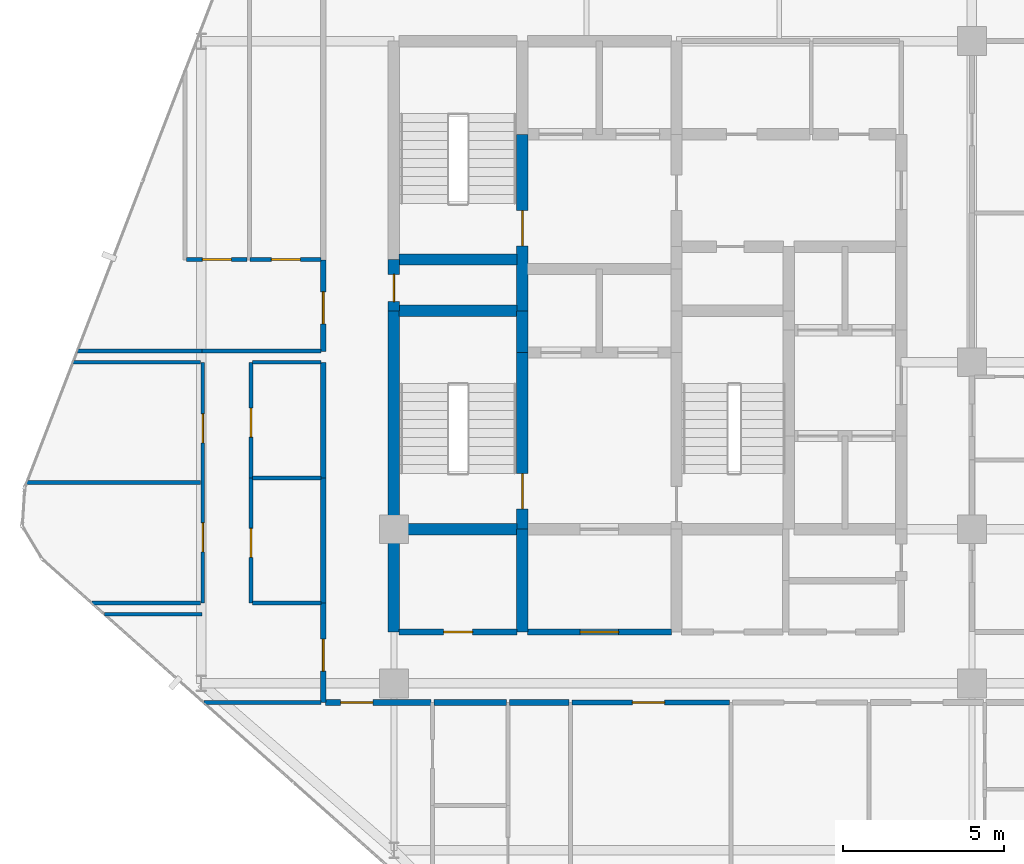
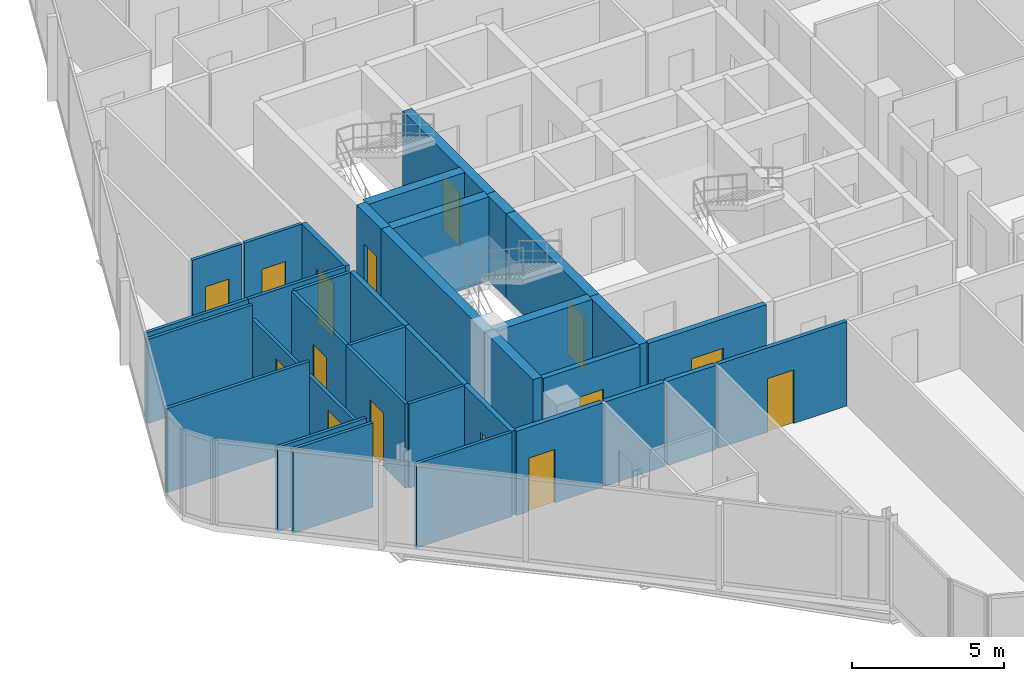
# One storey, part 25 of 31: 35 walls, 15 doors, 15 openings.
"""IFC4 building model written with IfcOpenShell, lengths in metres."""

from ifc_helpers import new_model, si_unit, direction, frame, frame_2d, origin, place, context, subcontext, project, spatial, rectangle, extrude, material, layer, layer_set, type_object, element, fill, save


model = new_model("IFC4")

# Units and contexts
model_context = context("Model", 3, precision=1e-05, world=origin(), true_north=direction((0.0, 1.0)))
body_context = subcontext(model_context, "Body", "Model", "MODEL_VIEW")
ifc_project = project(units=[si_unit("LENGTHUNIT", "METRE"), si_unit("AREAUNIT", "SQUARE_METRE"), si_unit("VOLUMEUNIT", "CUBIC_METRE"), si_unit("PLANEANGLEUNIT", "RADIAN"), si_unit("MASSUNIT", "GRAM", prefix="KILO")], contexts=[model_context])

# Site, building, storey
site_placement = place(None, origin())
site = spatial("IfcSite", under=ifc_project, at=site_placement, CompositionType="ELEMENT")
building_placement = place(site_placement, origin())
building = spatial("IfcBuilding", under=site, at=building_placement, Name="Keshet Zoharim Tower", CompositionType="ELEMENT")
storey_placement = place(building_placement, frame((0.0, 0.0, 148.300048828125)))
storey = spatial("IfcBuildingStorey", under=building, at=storey_placement, Name="L36", CompositionType="ELEMENT", Elevation=148.300048828125)

# Wall, opening, door
ifc_material_1 = material(Name="Gypsum Plasterboard", Category="gypsum")
ifc_layer_1 = layer(ifc_material_1, 0.14990234375)
ifc_layer_set_1 = layer_set([ifc_layer_1], Name="Gypsum Plasterboard")
wall_type_1 = type_object("IfcWallType", Name="WL-CLIN-150", PredefinedType="STANDARD", material=ifc_layer_set_1)
wall_1_placement = place(storey_placement, frame((20.544921875, 17.300048828125, 0.0), z_axis=(0.0, 0.0, 1.0), x_axis=(1.0, 0.0, 0.0)))
wall_1 = element("IfcWall", 1, at=wall_1_placement, inside=storey, type_object=wall_type_1, Name="L36 Interior Wall 123", PredefinedType="STANDARD", context=body_context, shape_type="SweptSolid", body=[
    extrude(rectangle(XDim=4.91015625, YDim=0.14990234375, at=frame_2d((2.455078125, 0.0))), origin(), (0.0, 0.0, 1.0), 3.385009765625),
])
opening_1_placement = place(wall_1_placement, frame((1.884033203125, 0.0, 0.0)))
opening_1 = element("IfcOpeningElement", 2, at=opening_1_placement, cuts=wall_1, Name="Opening D-F310", PredefinedType="OPENING", context=body_context, shape_type="SweptSolid", body=[
    extrude(rectangle(XDim=1.0, YDim=2.14990234375, at=frame_2d((0.5, 1.074951171875))), frame((0.0, 0.0849609375, 0.0), z_axis=(0.0, -1.0, 0.0), x_axis=(1.0, 0.0, 0.0)), (0.0, 0.0, 1.0), 0.169921875),
])
ifc_material_2 = material(Name="Hardwood Timber", Category="wood")
door_type_1 = type_object("IfcDoorType", Name="DR-FD30-100", OperationType="NOTDEFINED", PredefinedType="DOOR", material=ifc_material_2)
door_1_placement = place(opening_1_placement, origin())
door_1 = element("IfcDoor", 3, at=door_1_placement, inside=storey, type_object=door_type_1, Name="L36 Residents Fitness Studio Door", OperationType="SINGLE_SWING_RIGHT", OverallHeight=2.14990234375, OverallWidth=1.0, PredefinedType="DOOR", context=body_context, shape_type="SweptSolid", body=[
    extrude(rectangle(XDim=1.0, YDim=2.14990234375, at=frame_2d((0.5, 1.074951171875))), frame((0.0, 0.02490234375, 0.0), z_axis=(0.0, -1.0, 0.0), x_axis=(1.0, 0.0, 0.0)), (0.0, 0.0, 1.0), 0.050048828125),
])
fill(opening_1, door_1)

# Walls
ifc_material_3 = material(Name="Concrete C60/75", Category="concrete")
ifc_layer_2 = layer(ifc_material_3, 0.35009765625)
ifc_layer_set_2 = layer_set([ifc_layer_2], Name="Concrete C60/75")
wall_type_2 = type_object("IfcWallType", Name="WL-CORE-350", PredefinedType="SHEAR", material=ifc_layer_set_2)
wall_2_placement = place(storey_placement, frame((15.0, 19.5, 0.0), z_axis=(0.0, 0.0, 1.0), x_axis=(0.0, 1.0, 0.0)))
element("IfcWall", 4, at=wall_2_placement, inside=storey, type_object=wall_type_2, Name="L36 Core Shear Wall 014", PredefinedType="SHEAR", context=body_context, shape_type="SweptSolid", body=[
    extrude(rectangle(XDim=3.199951171875, YDim=0.35009765625, at=frame_2d((1.60009765625, 0.0))), origin(), (0.0, 0.0, 1.0), 3.385009765625),
])
wall_3_placement = place(storey_placement, frame((15.0, 22.699951171875, 0.0), z_axis=(0.0, 0.0, 1.0), x_axis=(0.0, 1.0, 0.0)))
element("IfcWall", 5, at=wall_3_placement, inside=storey, type_object=wall_type_2, Name="L36 Core Shear Wall 015", PredefinedType="SHEAR", context=body_context, shape_type="SweptSolid", body=[
    extrude(rectangle(XDim=6.800048828125, YDim=0.35009765625, at=frame_2d((3.39990234375, 0.0))), origin(), (0.0, 0.0, 1.0), 3.385009765625),
])

# Wall, opening, door
wall_4_placement = place(storey_placement, frame((15.0, 29.5, 0.0), z_axis=(0.0, 0.0, 1.0), x_axis=(0.0, 1.0, 0.0)))
wall_4 = element("IfcWall", 6, at=wall_4_placement, inside=storey, type_object=wall_type_2, Name="L36 Core Shear Wall 016", PredefinedType="SHEAR", context=body_context, shape_type="SweptSolid", body=[
    extrude(rectangle(XDim=1.60009765625, YDim=0.35009765625, at=frame_2d((0.800048828125, 0.0))), origin(), (0.0, 0.0, 1.0), 3.385009765625),
])
opening_2_placement = place(wall_4_placement, frame((0.287109375, 0.0, 0.0)))
opening_2 = element("IfcOpeningElement", 7, at=opening_2_placement, cuts=wall_4, Name="Opening D-RS85", PredefinedType="OPENING", context=body_context, shape_type="SweptSolid", body=[
    extrude(rectangle(XDim=0.85009765625, YDim=2.10009765625, at=frame_2d((0.425048828125, 1.050048828125))), frame((0.0, 0.18505859375, 0.0), z_axis=(0.0, -1.0, 0.0), x_axis=(1.0, 0.0, 0.0)), (0.0, 0.0, 1.0), 0.3701171875),
])
door_type_2 = type_object("IfcDoorType", Name="DR-RIS-085", OperationType="NOTDEFINED", PredefinedType="DOOR", material=ifc_material_2)
door_2_placement = place(opening_2_placement, origin())
door_2 = element("IfcDoor", 8, at=door_2_placement, inside=storey, type_object=door_type_2, Name="L36 Electrical Riser Access Cupboard Door", OperationType="SINGLE_SWING_RIGHT", OverallHeight=2.10009765625, OverallWidth=0.85009765625, PredefinedType="DOOR", context=body_context, shape_type="SweptSolid", body=[
    extrude(rectangle(XDim=0.85009765625, YDim=2.10009765625, at=frame_2d((0.425048828125, 1.050048828125))), frame((0.0, 0.02490234375, 0.0), z_axis=(0.0, -1.0, 0.0), x_axis=(1.0, 0.0, 0.0)), (0.0, 0.0, 1.0), 0.050048828125),
])
fill(opening_2, door_2)

# Wall
wall_5_placement = place(storey_placement, frame((19.0, 19.5, 0.0), z_axis=(0.0, 0.0, 1.0), x_axis=(0.0, 1.0, 0.0)))
element("IfcWall", 9, at=wall_5_placement, inside=storey, type_object=wall_type_2, Name="L36 Core Shear Wall 024", PredefinedType="SHEAR", context=body_context, shape_type="SweptSolid", body=[
    extrude(rectangle(XDim=3.199951171875, YDim=0.35009765625, at=frame_2d((1.60009765625, 0.0))), origin(), (0.0, 0.0, 1.0), 3.385009765625),
])

# Wall, opening, door
wall_6_placement = place(storey_placement, frame((19.0, 22.699951171875, 0.0), z_axis=(0.0, 0.0, 1.0), x_axis=(0.0, 1.0, 0.0)))
wall_6 = element("IfcWall", 10, at=wall_6_placement, inside=storey, type_object=wall_type_2, Name="L36 Core Shear Wall 025", PredefinedType="SHEAR", context=body_context, shape_type="SweptSolid", body=[
    extrude(rectangle(XDim=5.5, YDim=0.35009765625, at=frame_2d((2.75, 0.0))), origin(), (0.0, 0.0, 1.0), 3.385009765625),
])
opening_3_placement = place(wall_6_placement, frame((0.631103515625, 0.0, 0.0)))
opening_3 = element("IfcOpeningElement", 11, at=opening_3_placement, cuts=wall_6, Name="Opening D-F611", PredefinedType="OPENING", context=body_context, shape_type="SweptSolid", body=[
    extrude(rectangle(XDim=1.10009765625, YDim=2.14990234375, at=frame_2d((0.550048828125, 1.074951171875))), frame((0.0, 0.18505859375, 0.0), z_axis=(0.0, -1.0, 0.0), x_axis=(1.0, 0.0, 0.0)), (0.0, 0.0, 1.0), 0.3701171875),
])
door_type_3 = type_object("IfcDoorType", Name="DR-FD60-110", OperationType="NOTDEFINED", PredefinedType="DOOR", material=ifc_material_2)
door_3_placement = place(opening_3_placement, origin())
door_3 = element("IfcDoor", 12, at=door_3_placement, inside=storey, type_object=door_type_3, Name="L36 Exit Stair ST-01 Fire Door", OperationType="SINGLE_SWING_LEFT", OverallHeight=2.14990234375, OverallWidth=1.10009765625, PredefinedType="DOOR", context=body_context, shape_type="SweptSolid", body=[
    extrude(rectangle(XDim=1.10009765625, YDim=2.14990234375, at=frame_2d((0.550048828125, 1.074951171875))), frame((0.0, 0.02490234375, 0.0), z_axis=(0.0, -1.0, 0.0), x_axis=(1.0, 0.0, 0.0)), (0.0, 0.0, 1.0), 0.050048828125),
])
fill(opening_3, door_3)

# Wall
wall_7_placement = place(storey_placement, frame((19.0, 28.199951171875, 0.0), z_axis=(0.0, 0.0, 1.0), x_axis=(0.0, 1.0, 0.0)))
element("IfcWall", 13, at=wall_7_placement, inside=storey, type_object=wall_type_2, Name="L36 Core Shear Wall 026", PredefinedType="SHEAR", context=body_context, shape_type="SweptSolid", body=[
    extrude(rectangle(XDim=1.300048828125, YDim=0.35009765625, at=frame_2d((0.64990234375, 0.0))), origin(), (0.0, 0.0, 1.0), 3.385009765625),
])

# Wall, opening, door
wall_8_placement = place(storey_placement, frame((19.0, 29.5, 0.0), z_axis=(0.0, 0.0, 1.0), x_axis=(0.0, 1.0, 0.0)))
wall_8 = element("IfcWall", 14, at=wall_8_placement, inside=storey, type_object=wall_type_2, Name="L36 Core Shear Wall 027", PredefinedType="SHEAR", context=body_context, shape_type="SweptSolid", body=[
    extrude(rectangle(XDim=5.5, YDim=0.35009765625, at=frame_2d((2.75, 0.0))), origin(), (0.0, 0.0, 1.0), 3.385009765625),
])
opening_4_placement = place(wall_8_placement, frame((2.02490234375, 0.0, 0.0)))
opening_4 = element("IfcOpeningElement", 15, at=opening_4_placement, cuts=wall_8, Name="Opening D-F611", PredefinedType="OPENING", context=body_context, shape_type="SweptSolid", body=[
    extrude(rectangle(XDim=1.10009765625, YDim=2.14990234375, at=frame_2d((0.550048828125, 1.074951171875))), frame((0.0, 0.18505859375, 0.0), z_axis=(0.0, -1.0, 0.0), x_axis=(1.0, 0.0, 0.0)), (0.0, 0.0, 1.0), 0.3701171875),
])
door_4_placement = place(opening_4_placement, origin())
door_4 = element("IfcDoor", 16, at=door_4_placement, inside=storey, type_object=door_type_3, Name="L36 Exit Stair ST-02 Fire Door", OperationType="SINGLE_SWING_RIGHT", OverallHeight=2.14990234375, OverallWidth=1.10009765625, PredefinedType="DOOR", context=body_context, shape_type="SweptSolid", body=[
    extrude(rectangle(XDim=1.10009765625, YDim=2.14990234375, at=frame_2d((0.550048828125, 1.074951171875))), frame((0.0, 0.02490234375, 0.0), z_axis=(0.0, -1.0, 0.0), x_axis=(1.0, 0.0, 0.0)), (0.0, 0.0, 1.0), 0.050048828125),
])
fill(opening_4, door_4)

# Walls
for number, where, z_axis, x_axis, name in (
    (17, (15.159912109375, 22.699951171875, 0.0), (0.0, 0.0, 1.0), (1.0, 0.0, 0.0), "L36 Core Shear Wall 141"),
    (18, (15.159912109375, 29.5, 0.0), (0.0, 0.0, 1.0), (1.0, 0.0, 0.0), "L36 Core Shear Wall 158"),
    (19, (15.159912109375, 31.10009765625, 0.0), (0.0, 0.0, 1.0), (1.0, 0.0, 0.0), "L36 Core Shear Wall 163"),
):
    element("IfcWall", number, at=place(storey_placement, frame(where, z_axis=z_axis, x_axis=x_axis)), inside=storey, type_object=wall_type_2, Name=name, PredefinedType="SHEAR", context=body_context, shape_type="SweptSolid", body=[
        extrude(rectangle(XDim=3.68017578125, YDim=0.35009765625, at=frame_2d((1.840087890625, 0.0))), origin(), (0.0, 0.0, 1.0), 3.385009765625),
    ])

# Wall, opening, door
ifc_layer_3 = layer(ifc_material_1, 0.179931640625)
ifc_layer_set_3 = layer_set([ifc_layer_3], Name="Gypsum Plasterboard")
wall_type_3 = type_object("IfcWallType", Name="WL-CORR-180", PredefinedType="STANDARD", material=ifc_layer_set_3)
wall_9_placement = place(storey_placement, frame((12.800048828125, 17.300048828125, 0.0), z_axis=(0.0, 0.0, 1.0), x_axis=(0.0, 1.0, 0.0)))
wall_9 = element("IfcWall", 20, at=wall_9_placement, inside=storey, type_object=wall_type_3, Name="L36 Interior Wall 006", PredefinedType="STANDARD", context=body_context, shape_type="SweptSolid", body=[
    extrude(rectangle(XDim=3.099853515625, YDim=0.179931640625, at=frame_2d((1.5498046875, 0.0))), origin(), (0.0, 0.0, 1.0), 3.385009765625),
])
opening_5_placement = place(wall_9_placement, frame((0.97802734375, 0.0, 0.0)))
opening_5 = element("IfcOpeningElement", 21, at=opening_5_placement, cuts=wall_9, Name="Opening D-F310", PredefinedType="OPENING", context=body_context, shape_type="SweptSolid", body=[
    extrude(rectangle(XDim=1.0, YDim=2.14990234375, at=frame_2d((0.5, 1.074951171875))), frame((0.0, 0.10009765625, 0.0), z_axis=(0.0, -1.0, 0.0), x_axis=(1.0, 0.0, 0.0)), (0.0, 0.0, 1.0), 0.199951171875),
])
door_5_placement = place(opening_5_placement, origin())
door_5 = element("IfcDoor", 22, at=door_5_placement, inside=storey, type_object=door_type_1, Name="Apartment 3607 Entrance Door", OperationType="SINGLE_SWING_RIGHT", OverallHeight=2.14990234375, OverallWidth=1.0, PredefinedType="DOOR", context=body_context, shape_type="SweptSolid", body=[
    extrude(rectangle(XDim=1.0, YDim=2.14990234375, at=frame_2d((0.5, 1.074951171875))), frame((0.0, 0.02490234375, 0.0), z_axis=(0.0, -1.0, 0.0), x_axis=(1.0, 0.0, 0.0)), (0.0, 0.0, 1.0), 0.050048828125),
])
fill(opening_5, door_5)

# Walls
wall_10_placement = place(storey_placement, frame((12.800048828125, 20.39990234375, 0.0), z_axis=(0.0, 0.0, 1.0), x_axis=(0.0, 1.0, 0.0)))
element("IfcWall", 23, at=wall_10_placement, inside=storey, type_object=wall_type_3, Name="L36 Interior Wall 007", PredefinedType="STANDARD", context=body_context, shape_type="SweptSolid", body=[
    extrude(rectangle(XDim=3.89501953125, YDim=0.179931640625, at=frame_2d((1.947509765625, 0.0))), origin(), (0.0, 0.0, 1.0), 3.385009765625),
])
wall_11_placement = place(storey_placement, frame((12.800048828125, 24.294921875, 0.0), z_axis=(0.0, 0.0, 1.0), x_axis=(0.0, 1.0, 0.0)))
element("IfcWall", 24, at=wall_11_placement, inside=storey, type_object=wall_type_3, Name="L36 Interior Wall 008", PredefinedType="STANDARD", context=body_context, shape_type="SweptSolid", body=[
    extrude(rectangle(XDim=3.594970703125, YDim=0.179931640625, at=frame_2d((1.79736328125, 0.0))), origin(), (0.0, 0.0, 1.0), 3.385009765625),
])

# Wall, opening, door
wall_12_placement = place(storey_placement, frame((12.800048828125, 28.239990234375, 0.0), z_axis=(0.0, 0.0, 1.0), x_axis=(0.0, 1.0, 0.0)))
wall_12 = element("IfcWall", 25, at=wall_12_placement, inside=storey, type_object=wall_type_3, Name="L36 Interior Wall 009", PredefinedType="STANDARD", context=body_context, shape_type="SweptSolid", body=[
    extrude(rectangle(XDim=2.85009765625, YDim=0.179931640625, at=frame_2d((1.425048828125, 0.0))), origin(), (0.0, 0.0, 1.0), 3.385009765625),
])
opening_6_placement = place(wall_12_placement, frame((0.85107421875, 0.0, 0.0)))
opening_6 = element("IfcOpeningElement", 26, at=opening_6_placement, cuts=wall_12, Name="Opening D-F310", PredefinedType="OPENING", context=body_context, shape_type="SweptSolid", body=[
    extrude(rectangle(XDim=1.0, YDim=2.14990234375, at=frame_2d((0.5, 1.074951171875))), frame((0.0, 0.10009765625, 0.0), z_axis=(0.0, -1.0, 0.0), x_axis=(1.0, 0.0, 0.0)), (0.0, 0.0, 1.0), 0.199951171875),
])
door_6_placement = place(opening_6_placement, origin())
door_6 = element("IfcDoor", 27, at=door_6_placement, inside=storey, type_object=door_type_1, Name="Apartment 3608 Entrance Door", OperationType="SINGLE_SWING_LEFT", OverallHeight=2.14990234375, OverallWidth=1.0, PredefinedType="DOOR", context=body_context, shape_type="SweptSolid", body=[
    extrude(rectangle(XDim=1.0, YDim=2.14990234375, at=frame_2d((0.5, 1.074951171875))), frame((0.0, 0.02490234375, 0.0), z_axis=(0.0, -1.0, 0.0), x_axis=(1.0, 0.0, 0.0)), (0.0, 0.0, 1.0), 0.050048828125),
])
fill(opening_6, door_6)

wall_13_placement = place(storey_placement, frame((12.875, 17.300048828125, 0.0), z_axis=(0.0, 0.0, 1.0), x_axis=(1.0, 0.0, 0.0)))
wall_13 = element("IfcWall", 28, at=wall_13_placement, inside=storey, type_object=wall_type_3, Name="L36 Interior Wall 120", PredefinedType="STANDARD", context=body_context, shape_type="SweptSolid", body=[
    extrude(rectangle(XDim=3.280029296875, YDim=0.179931640625, at=frame_2d((1.64013671875, 0.0))), origin(), (0.0, 0.0, 1.0), 3.385009765625),
])
opening_7_placement = place(wall_13_placement, frame((0.470947265625, 0.0, 0.0)))
opening_7 = element("IfcOpeningElement", 29, at=opening_7_placement, cuts=wall_13, Name="Opening D-F310", PredefinedType="OPENING", context=body_context, shape_type="SweptSolid", body=[
    extrude(rectangle(XDim=1.0, YDim=2.14990234375, at=frame_2d((0.5, 1.074951171875))), frame((0.0, 0.10009765625, 0.0), z_axis=(0.0, -1.0, 0.0), x_axis=(1.0, 0.0, 0.0)), (0.0, 0.0, 1.0), 0.199951171875),
])
door_7_placement = place(opening_7_placement, origin())
door_7 = element("IfcDoor", 30, at=door_7_placement, inside=storey, type_object=door_type_1, Name="Apartment 3601 Entrance Door", OperationType="SINGLE_SWING_LEFT", OverallHeight=2.14990234375, OverallWidth=1.0, PredefinedType="DOOR", context=body_context, shape_type="SweptSolid", body=[
    extrude(rectangle(XDim=1.0, YDim=2.14990234375, at=frame_2d((0.5, 1.074951171875))), frame((0.0, 0.02490234375, 0.0), z_axis=(0.0, -1.0, 0.0), x_axis=(1.0, 0.0, 0.0)), (0.0, 0.0, 1.0), 0.050048828125),
])
fill(opening_7, door_7)

# Walls
wall_14_placement = place(storey_placement, frame((16.2451171875, 17.300048828125, 0.0), z_axis=(0.0, 0.0, 1.0), x_axis=(1.0, 0.0, 0.0)))
element("IfcWall", 31, at=wall_14_placement, inside=storey, type_object=wall_type_3, Name="L36 Interior Wall 121", PredefinedType="STANDARD", context=body_context, shape_type="SweptSolid", body=[
    extrude(rectangle(XDim=2.259765625, YDim=0.179931640625, at=frame_2d((1.1298828125, 0.0))), origin(), (0.0, 0.0, 1.0), 3.385009765625),
])
wall_15_placement = place(storey_placement, frame((18.594970703125, 17.300048828125, 0.0), z_axis=(0.0, 0.0, 1.0), x_axis=(1.0, 0.0, 0.0)))
element("IfcWall", 32, at=wall_15_placement, inside=storey, type_object=wall_type_3, Name="L36 Interior Wall 122", PredefinedType="STANDARD", context=body_context, shape_type="SweptSolid", body=[
    extrude(rectangle(XDim=1.860107421875, YDim=0.179931640625, at=frame_2d((0.93017578125, 0.0))), origin(), (0.0, 0.0, 1.0), 3.385009765625),
])

# Wall, opening, door
ifc_material_4 = material(Name="Concrete C50/60", Category="concrete")
ifc_layer_4 = layer(ifc_material_4, 0.199951171875)
ifc_layer_set_4 = layer_set([ifc_layer_4], Name="Concrete C50/60")
wall_type_4 = type_object("IfcWallType", Name="WL-FIRE-200", PredefinedType="STANDARD", material=ifc_layer_set_4)
wall_16_placement = place(storey_placement, frame((15.159912109375, 19.5, 0.0), z_axis=(0.0, 0.0, 1.0), x_axis=(1.0, 0.0, 0.0)))
wall_16 = element("IfcWall", 33, at=wall_16_placement, inside=storey, type_object=wall_type_4, Name="L36 Interior Wall 132", PredefinedType="STANDARD", context=body_context, shape_type="SweptSolid", body=[
    extrude(rectangle(XDim=3.68017578125, YDim=0.199951171875, at=frame_2d((1.840087890625, 0.0))), origin(), (0.0, 0.0, 1.0), 3.385009765625),
])
opening_8_placement = place(wall_16_placement, frame((1.389892578125, 0.0, 0.0)))
opening_8 = element("IfcOpeningElement", 34, at=opening_8_placement, cuts=wall_16, Name="Opening D-F690", PredefinedType="OPENING", context=body_context, shape_type="SweptSolid", body=[
    extrude(rectangle(XDim=0.89990234375, YDim=2.14990234375, at=frame_2d((0.449951171875, 1.074951171875))), frame((0.0, 0.10986328125, 0.0), z_axis=(0.0, -1.0, 0.0), x_axis=(1.0, 0.0, 0.0)), (0.0, 0.0, 1.0), 0.219970703125),
])
door_type_4 = type_object("IfcDoorType", Name="DR-FD60-090", OperationType="NOTDEFINED", PredefinedType="DOOR", material=ifc_material_2)
door_8_placement = place(opening_8_placement, origin())
door_8 = element("IfcDoor", 35, at=door_8_placement, inside=storey, type_object=door_type_4, Name="L36 Refuse Store Door", OperationType="SINGLE_SWING_LEFT", OverallHeight=2.14990234375, OverallWidth=0.89990234375, PredefinedType="DOOR", context=body_context, shape_type="SweptSolid", body=[
    extrude(rectangle(XDim=0.89990234375, YDim=2.14990234375, at=frame_2d((0.449951171875, 1.074951171875))), frame((0.0, 0.02490234375, 0.0), z_axis=(0.0, -1.0, 0.0), x_axis=(1.0, 0.0, 0.0)), (0.0, 0.0, 1.0), 0.050048828125),
])
fill(opening_8, door_8)

wall_17_placement = place(storey_placement, frame((19.159912109375, 19.5, 0.0), z_axis=(0.0, 0.0, 1.0), x_axis=(1.0, 0.0, 0.0)))
wall_17 = element("IfcWall", 36, at=wall_17_placement, inside=storey, type_object=wall_type_4, Name="L36 Interior Wall 133", PredefinedType="STANDARD", context=body_context, shape_type="SweptSolid", body=[
    extrude(rectangle(XDim=4.47998046875, YDim=0.199951171875, at=frame_2d((2.239990234375, 0.0))), origin(), (0.0, 0.0, 1.0), 3.385009765625),
])
opening_9_placement = place(wall_17_placement, frame((1.639892578125, 0.0, 0.0)))
opening_9 = element("IfcOpeningElement", 37, at=opening_9_placement, cuts=wall_17, Name="Opening D-F612", PredefinedType="OPENING", context=body_context, shape_type="SweptSolid", body=[
    extrude(rectangle(XDim=1.199951171875, YDim=2.199951171875, at=frame_2d((0.60009765625, 1.10009765625))), frame((0.0, 0.10986328125, 0.0), z_axis=(0.0, -1.0, 0.0), x_axis=(1.0, 0.0, 0.0)), (0.0, 0.0, 1.0), 0.219970703125),
])
door_type_5 = type_object("IfcDoorType", Name="DR-FD60-120", OperationType="NOTDEFINED", PredefinedType="DOOR", material=ifc_material_2)
door_9_placement = place(opening_9_placement, origin())
door_9 = element("IfcDoor", 38, at=door_9_placement, inside=storey, type_object=door_type_5, Name="L36 South Vestibule Corridor Door", OperationType="SINGLE_SWING_RIGHT", OverallHeight=2.199951171875, OverallWidth=1.199951171875, PredefinedType="DOOR", context=body_context, shape_type="SweptSolid", body=[
    extrude(rectangle(XDim=1.199951171875, YDim=2.199951171875, at=frame_2d((0.60009765625, 1.10009765625))), frame((0.0, 0.02490234375, 0.0), z_axis=(0.0, -1.0, 0.0), x_axis=(1.0, 0.0, 0.0)), (0.0, 0.0, 1.0), 0.050048828125),
])
fill(opening_9, door_9)

# Wall, openings, doors
ifc_layer_5 = layer(ifc_material_1, 0.1201171875)
ifc_layer_set_5 = layer_set([ifc_layer_5], Name="Gypsum Plasterboard")
wall_type_5 = type_object("IfcWallType", Name="WL-PART-120", PredefinedType="PARTITIONING", material=ifc_layer_set_5)
wall_18_placement = place(storey_placement, frame((9.050048828125, 20.39990234375, 0.0), z_axis=(0.0, 0.0, 1.0), x_axis=(0.0, 1.0, 0.0)))
wall_18 = element("IfcWall", 39, at=wall_18_placement, inside=storey, type_object=wall_type_5, Name="L36 Interior Wall 002", PredefinedType="PARTITIONING", context=body_context, shape_type="SweptSolid", body=[
    extrude(rectangle(XDim=7.489990234375, YDim=0.1201171875, at=frame_2d((3.7451171875, 0.0))), origin(), (0.0, 0.0, 1.0), 2.784912109375),
])
opening_10_placement = place(wall_18_placement, frame((1.596923828125, 0.0, 0.0)))
opening_10 = element("IfcOpeningElement", 40, at=opening_10_placement, cuts=wall_18, Name="Opening D-IN90", PredefinedType="OPENING", context=body_context, shape_type="SweptSolid", body=[
    extrude(rectangle(XDim=0.89990234375, YDim=2.14990234375, at=frame_2d((0.449951171875, 1.074951171875))), frame((0.0, 0.070068359375, 0.0), z_axis=(0.0, -1.0, 0.0), x_axis=(1.0, 0.0, 0.0)), (0.0, 0.0, 1.0), 0.14013671875),
])
opening_11_placement = place(wall_18_placement, frame((4.991943359375, 0.0, 0.0)))
opening_11 = element("IfcOpeningElement", 41, at=opening_11_placement, cuts=wall_18, Name="Opening D-IN90", PredefinedType="OPENING", context=body_context, shape_type="SweptSolid", body=[
    extrude(rectangle(XDim=0.89990234375, YDim=2.14990234375, at=frame_2d((0.449951171875, 1.074951171875))), frame((0.0, 0.070068359375, 0.0), z_axis=(0.0, -1.0, 0.0), x_axis=(1.0, 0.0, 0.0)), (0.0, 0.0, 1.0), 0.14013671875),
])
door_type_6 = type_object("IfcDoorType", Name="DR-INT-090", OperationType="NOTDEFINED", PredefinedType="DOOR", material=ifc_material_2)
door_10_placement = place(opening_10_placement, origin())
door_10 = element("IfcDoor", 42, at=door_10_placement, inside=storey, type_object=door_type_6, Name="Apartment 3607 Bedroom 1 Door", OperationType="SINGLE_SWING_RIGHT", OverallHeight=2.14990234375, OverallWidth=0.89990234375, PredefinedType="DOOR", context=body_context, shape_type="SweptSolid", body=[
    extrude(rectangle(XDim=0.89990234375, YDim=2.14990234375, at=frame_2d((0.449951171875, 1.074951171875))), frame((0.0, 0.02490234375, 0.0), z_axis=(0.0, -1.0, 0.0), x_axis=(1.0, 0.0, 0.0)), (0.0, 0.0, 1.0), 0.050048828125),
])
fill(opening_10, door_10)
door_11_placement = place(opening_11_placement, origin())
door_11 = element("IfcDoor", 43, at=door_11_placement, inside=storey, type_object=door_type_6, Name="Apartment 3607 Bedroom 2 Door", OperationType="SINGLE_SWING_LEFT", OverallHeight=2.14990234375, OverallWidth=0.89990234375, PredefinedType="DOOR", context=body_context, shape_type="SweptSolid", body=[
    extrude(rectangle(XDim=0.89990234375, YDim=2.14990234375, at=frame_2d((0.449951171875, 1.074951171875))), frame((0.0, 0.02490234375, 0.0), z_axis=(0.0, -1.0, 0.0), x_axis=(1.0, 0.0, 0.0)), (0.0, 0.0, 1.0), 0.050048828125),
])
fill(opening_11, door_11)

# Wall, opening, door
wall_19_placement = place(storey_placement, frame((10.550048828125, 20.39990234375, 0.0), z_axis=(0.0, 0.0, 1.0), x_axis=(0.0, 1.0, 0.0)))
wall_19 = element("IfcWall", 44, at=wall_19_placement, inside=storey, type_object=wall_type_5, Name="L36 Interior Wall 004", PredefinedType="PARTITIONING", context=body_context, shape_type="SweptSolid", body=[
    extrude(rectangle(XDim=3.89501953125, YDim=0.1201171875, at=frame_2d((1.947509765625, 0.0))), origin(), (0.0, 0.0, 1.0), 3.385009765625),
])
opening_12_placement = place(wall_19_placement, frame((1.424072265625, 0.0, 0.0)))
opening_12 = element("IfcOpeningElement", 45, at=opening_12_placement, cuts=wall_19, Name="Opening D-IN90", PredefinedType="OPENING", context=body_context, shape_type="SweptSolid", body=[
    extrude(rectangle(XDim=0.89990234375, YDim=2.14990234375, at=frame_2d((0.449951171875, 1.074951171875))), frame((0.0, 0.070068359375, 0.0), z_axis=(0.0, -1.0, 0.0), x_axis=(1.0, 0.0, 0.0)), (0.0, 0.0, 1.0), 0.14013671875),
])
door_12_placement = place(opening_12_placement, origin())
door_12 = element("IfcDoor", 46, at=door_12_placement, inside=storey, type_object=door_type_6, Name="Apartment 3607 Kitchen Door", OperationType="SINGLE_SWING_RIGHT", OverallHeight=2.14990234375, OverallWidth=0.89990234375, PredefinedType="DOOR", context=body_context, shape_type="SweptSolid", body=[
    extrude(rectangle(XDim=0.89990234375, YDim=2.14990234375, at=frame_2d((0.449951171875, 1.074951171875))), frame((0.0, 0.02490234375, 0.0), z_axis=(0.0, -1.0, 0.0), x_axis=(1.0, 0.0, 0.0)), (0.0, 0.0, 1.0), 0.050048828125),
])
fill(opening_12, door_12)

# Walls
wall_20_placement = place(storey_placement, frame((9.0849609375, 17.300048828125, 0.0), z_axis=(0.0, 0.0, 1.0), x_axis=(1.0, 0.0, 0.0)))
element("IfcWall", 47, at=wall_20_placement, inside=storey, type_object=wall_type_5, Name="L36 Interior Wall 119", PredefinedType="PARTITIONING", context=body_context, shape_type="SweptSolid", body=[
    extrude(rectangle(XDim=3.64013671875, YDim=0.1201171875, at=frame_2d((1.820068359375, 0.0))), origin(), (0.0, 0.0, 1.0), 3.385009765625),
])
wall_21_placement = place(storey_placement, frame((5.990966796875, 20.050048828125, 0.0), z_axis=(0.0, 0.0, 1.0), x_axis=(1.0, 0.0, 0.0)))
element("IfcWall", 48, at=wall_21_placement, inside=storey, type_object=wall_type_5, Name="L36 Interior Wall 137", PredefinedType="PARTITIONING", context=body_context, shape_type="SweptSolid", body=[
    extrude(rectangle(XDim=3.0390625, YDim=0.1201171875, at=frame_2d((1.51953125, 0.0))), origin(), (0.0, 0.0, 1.0), 3.385009765625),
])
wall_22_placement = place(storey_placement, frame((5.597900390625, 20.39990234375, 0.0), z_axis=(0.0, 0.0, 1.0), x_axis=(1.0, 0.0, 0.0)))
element("IfcWall", 49, at=wall_22_placement, inside=storey, type_object=wall_type_5, Name="L36 Interior Wall 138", PredefinedType="PARTITIONING", context=body_context, shape_type="SweptSolid", body=[
    extrude(rectangle(XDim=3.38720703125, YDim=0.1201171875, at=frame_2d((1.693603515625, 0.0))), origin(), (0.0, 0.0, 1.0), 3.385009765625),
])
wall_23_placement = place(storey_placement, frame((10.594970703125, 20.39990234375, 0.0), z_axis=(0.0, 0.0, 1.0), x_axis=(1.0, 0.0, 0.0)))
element("IfcWall", 50, at=wall_23_placement, inside=storey, type_object=wall_type_5, Name="L36 Interior Wall 139", PredefinedType="PARTITIONING", context=body_context, shape_type="SweptSolid", body=[
    extrude(rectangle(XDim=2.130126953125, YDim=0.1201171875, at=frame_2d((1.06494140625, 0.0))), origin(), (0.0, 0.0, 1.0), 3.385009765625),
])
wall_24_placement = place(storey_placement, frame((3.56689453125, 24.14990234375, 0.0), z_axis=(0.0, 0.0, 1.0), x_axis=(1.0, 0.0, 0.0)))
element("IfcWall", 51, at=wall_24_placement, inside=storey, type_object=wall_type_5, Name="L36 Interior Wall 145", PredefinedType="PARTITIONING", context=body_context, shape_type="SweptSolid", body=[
    extrude(rectangle(XDim=5.418212890625, YDim=0.1201171875, at=frame_2d((2.708984375, 0.0))), origin(), (0.0, 0.0, 1.0), 3.385009765625),
])
wall_25_placement = place(storey_placement, frame((5.010009765625, 27.89990234375, 0.0), z_axis=(0.0, 0.0, 1.0), x_axis=(1.0, 0.0, 0.0)))
element("IfcWall", 52, at=wall_25_placement, inside=storey, type_object=wall_type_5, Name="L36 Interior Wall 152", PredefinedType="PARTITIONING", context=body_context, shape_type="SweptSolid", body=[
    extrude(rectangle(XDim=3.97509765625, YDim=0.1201171875, at=frame_2d((1.987548828125, 0.0))), origin(), (0.0, 0.0, 1.0), 3.385009765625),
])
wall_26_placement = place(storey_placement, frame((5.14404296875, 28.25, 0.0), z_axis=(0.0, 0.0, 1.0), x_axis=(1.0, 0.0, 0.0)))
element("IfcWall", 53, at=wall_26_placement, inside=storey, type_object=wall_type_5, Name="L36 Interior Wall 155", PredefinedType="PARTITIONING", context=body_context, shape_type="SweptSolid", body=[
    extrude(rectangle(XDim=3.885986328125, YDim=0.1201171875, at=frame_2d((1.94287109375, 0.0))), origin(), (0.0, 0.0, 1.0), 3.385009765625),
])
wall_27_placement = place(storey_placement, frame((9.030029296875, 28.25, 0.0), z_axis=(0.0, 0.0, 1.0), x_axis=(1.0, 0.0, 0.0)))
element("IfcWall", 54, at=wall_27_placement, inside=storey, type_object=wall_type_5, Name="L36 Interior Wall 156", PredefinedType="PARTITIONING", context=body_context, shape_type="SweptSolid", body=[
    extrude(rectangle(XDim=3.695068359375, YDim=0.1201171875, at=frame_2d((1.84765625, 0.0))), origin(), (0.0, 0.0, 1.0), 3.385009765625),
])

# Wall, opening, door
wall_28_placement = place(storey_placement, frame((8.544921875, 31.10009765625, 0.0), z_axis=(0.0, 0.0, 1.0), x_axis=(1.0, 0.0, 0.0)))
wall_28 = element("IfcWall", 55, at=wall_28_placement, inside=storey, type_object=wall_type_5, Name="L36 Interior Wall 161", PredefinedType="PARTITIONING", context=body_context, shape_type="SweptSolid", body=[
    extrude(rectangle(XDim=1.88818359375, YDim=0.1201171875, at=frame_2d((0.944091796875, 0.0))), origin(), (0.0, 0.0, 1.0), 3.385009765625),
])
opening_13_placement = place(wall_28_placement, frame((0.493896484375, 0.0, 0.0)))
opening_13 = element("IfcOpeningElement", 56, at=opening_13_placement, cuts=wall_28, Name="Opening D-IN90", PredefinedType="OPENING", context=body_context, shape_type="SweptSolid", body=[
    extrude(rectangle(XDim=0.89990234375, YDim=2.14990234375, at=frame_2d((0.449951171875, 1.074951171875))), frame((0.0, 0.070068359375, 0.0), z_axis=(0.0, -1.0, 0.0), x_axis=(1.0, 0.0, 0.0)), (0.0, 0.0, 1.0), 0.14013671875),
])
door_13_placement = place(opening_13_placement, origin())
door_13 = element("IfcDoor", 57, at=door_13_placement, inside=storey, type_object=door_type_6, Name="Apartment 3608 Kitchen Door", OperationType="SINGLE_SWING_RIGHT", OverallHeight=2.14990234375, OverallWidth=0.89990234375, PredefinedType="DOOR", context=body_context, shape_type="SweptSolid", body=[
    extrude(rectangle(XDim=0.89990234375, YDim=2.14990234375, at=frame_2d((0.449951171875, 1.074951171875))), frame((0.0, 0.02490234375, 0.0), z_axis=(0.0, -1.0, 0.0), x_axis=(1.0, 0.0, 0.0)), (0.0, 0.0, 1.0), 0.050048828125),
])
fill(opening_13, door_13)

ifc_layer_6 = layer(ifc_material_1, 0.1201171875)
ifc_layer_set_6 = layer_set([ifc_layer_6], Name="Gypsum Plasterboard")
wall_type_6 = type_object("IfcWallType", Name="WL-WET-120", PredefinedType="PARTITIONING", material=ifc_layer_set_6)
wall_29_placement = place(storey_placement, frame((10.550048828125, 24.294921875, 0.0), z_axis=(0.0, 0.0, 1.0), x_axis=(0.0, 1.0, 0.0)))
wall_29 = element("IfcWall", 58, at=wall_29_placement, inside=storey, type_object=wall_type_6, Name="L36 Interior Wall 005", PredefinedType="PARTITIONING", context=body_context, shape_type="SweptSolid", body=[
    extrude(rectangle(XDim=3.594970703125, YDim=0.1201171875, at=frame_2d((1.79736328125, 0.0))), origin(), (0.0, 0.0, 1.0), 3.385009765625),
])
opening_14_placement = place(wall_29_placement, frame((1.27490234375, 0.0, 0.0)))
opening_14 = element("IfcOpeningElement", 59, at=opening_14_placement, cuts=wall_29, Name="Opening D-WT90", PredefinedType="OPENING", context=body_context, shape_type="SweptSolid", body=[
    extrude(rectangle(XDim=0.89990234375, YDim=2.10009765625, at=frame_2d((0.449951171875, 1.050048828125))), frame((0.0, 0.070068359375, 0.0), z_axis=(0.0, -1.0, 0.0), x_axis=(1.0, 0.0, 0.0)), (0.0, 0.0, 1.0), 0.14013671875),
])
door_type_7 = type_object("IfcDoorType", Name="DR-WET-090", OperationType="NOTDEFINED", PredefinedType="DOOR", material=ifc_material_2)
door_14_placement = place(opening_14_placement, origin())
door_14 = element("IfcDoor", 60, at=door_14_placement, inside=storey, type_object=door_type_7, Name="Apartment 3607 Bathroom Door", OperationType="SINGLE_SWING_LEFT", OverallHeight=2.10009765625, OverallWidth=0.89990234375, PredefinedType="DOOR", context=body_context, shape_type="SweptSolid", body=[
    extrude(rectangle(XDim=0.89990234375, YDim=2.10009765625, at=frame_2d((0.449951171875, 1.050048828125))), frame((0.0, 0.02490234375, 0.0), z_axis=(0.0, -1.0, 0.0), x_axis=(1.0, 0.0, 0.0)), (0.0, 0.0, 1.0), 0.050048828125),
])
fill(opening_14, door_14)

# Walls
for number, where, z_axis, x_axis, name in (
    (61, (10.594970703125, 24.300048828125, 0.0), (0.0, 0.0, 1.0), (1.0, 0.0, 0.0), "L36 Interior Wall 146"),
    (62, (10.594970703125, 27.89990234375, 0.0), (0.0, 0.0, 1.0), (1.0, 0.0, 0.0), "L36 Interior Wall 153"),
):
    element("IfcWall", number, at=place(storey_placement, frame(where, z_axis=z_axis, x_axis=x_axis)), inside=storey, type_object=wall_type_6, Name=name, PredefinedType="PARTITIONING", context=body_context, shape_type="SweptSolid", body=[
        extrude(rectangle(XDim=2.130126953125, YDim=0.1201171875, at=frame_2d((1.06494140625, 0.0))), origin(), (0.0, 0.0, 1.0), 3.385009765625),
    ])

# Wall, opening, door
wall_30_placement = place(storey_placement, frame((10.52294921875, 31.10009765625, 0.0), z_axis=(0.0, 0.0, 1.0), x_axis=(1.0, 0.0, 0.0)))
wall_30 = element("IfcWall", 63, at=wall_30_placement, inside=storey, type_object=wall_type_6, Name="L36 Interior Wall 162", PredefinedType="PARTITIONING", context=body_context, shape_type="SweptSolid", body=[
    extrude(rectangle(XDim=2.2021484375, YDim=0.1201171875, at=frame_2d((1.10107421875, 0.0))), origin(), (0.0, 0.0, 1.0), 3.385009765625),
])
opening_15_placement = place(wall_30_placement, frame((0.666015625, 0.0, 0.0)))
opening_15 = element("IfcOpeningElement", 64, at=opening_15_placement, cuts=wall_30, Name="Opening D-WT90", PredefinedType="OPENING", context=body_context, shape_type="SweptSolid", body=[
    extrude(rectangle(XDim=0.89990234375, YDim=2.10009765625, at=frame_2d((0.449951171875, 1.050048828125))), frame((0.0, 0.070068359375, 0.0), z_axis=(0.0, -1.0, 0.0), x_axis=(1.0, 0.0, 0.0)), (0.0, 0.0, 1.0), 0.14013671875),
])
door_15_placement = place(opening_15_placement, origin())
door_15 = element("IfcDoor", 65, at=door_15_placement, inside=storey, type_object=door_type_7, Name="Apartment 3608 Bathroom Door", OperationType="SINGLE_SWING_LEFT", OverallHeight=2.10009765625, OverallWidth=0.89990234375, PredefinedType="DOOR", context=body_context, shape_type="SweptSolid", body=[
    extrude(rectangle(XDim=0.89990234375, YDim=2.10009765625, at=frame_2d((0.449951171875, 1.050048828125))), frame((0.0, 0.02490234375, 0.0), z_axis=(0.0, -1.0, 0.0), x_axis=(1.0, 0.0, 0.0)), (0.0, 0.0, 1.0), 0.050048828125),
])
fill(opening_15, door_15)

save(model, "model.ifc")
